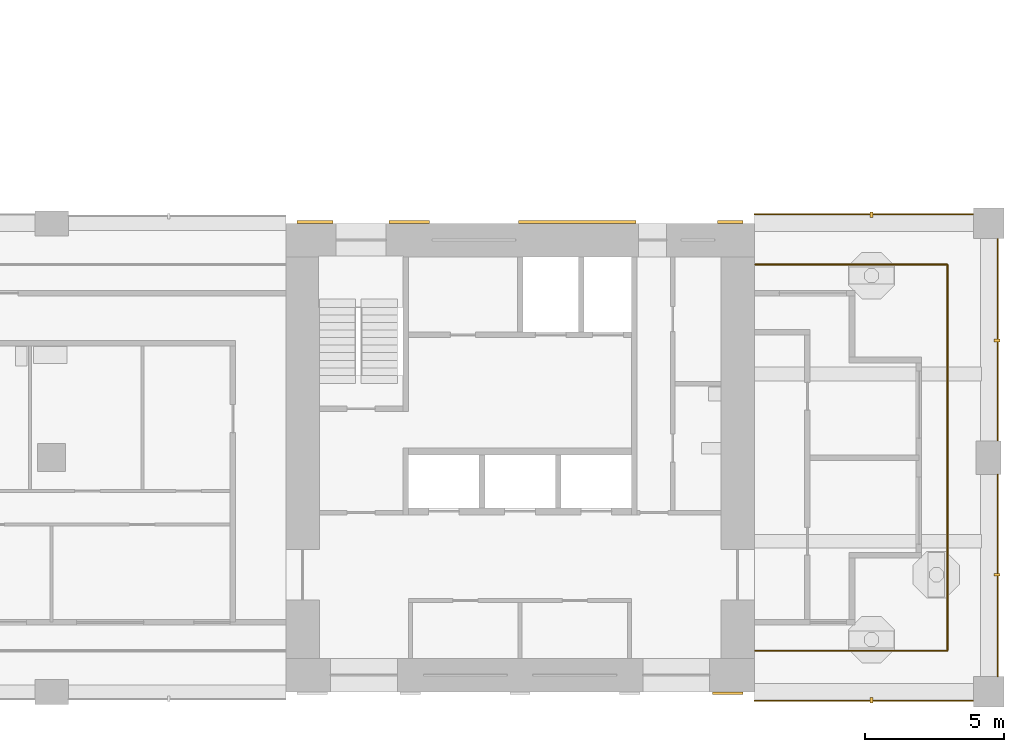
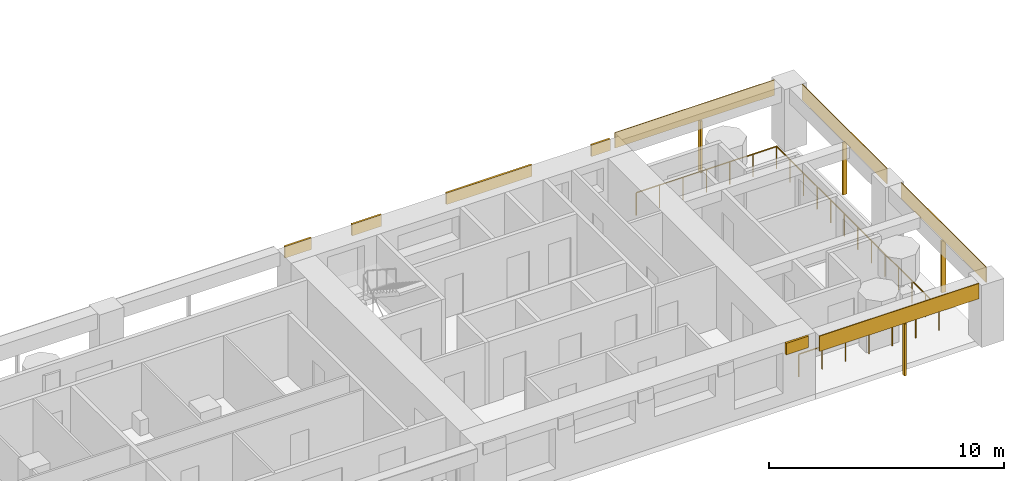
# One storey, part 9 of 13: 13 shading devices, 1 railing.
"""IFC4 building model written with IfcOpenShell, lengths in metres."""

import ifcopenshell
import ifcopenshell.guid

model = None  # the IFC model being written
_history = None  # IfcOwnerHistory: only IFC2X3 demands one
_inside = {}  # id of a spatial element -> (the spatial element, [elements in it])
_under = {}  # id of a project, library or spatial element -> (it, [spatial elements below it])
_declared = {}  # id of a project -> (the project, [libraries it declares])
_typed = {}  # id of a type object -> (the type object, [elements of that type])
_made_of = {}  # id of a material, layer set ... -> (it, [elements and type objects made of it])


def new_model(schema):
    """Start an empty IFC model of exactly this schema.

    Asked for "IFC4X3", IfcOpenShell would pick the latest addendum, in which some entities
    have other attributes; the version numbers below select the first issue.
    IFC2X3 requires an IfcOwnerHistory on every rooted entity: one is made here for all.
    """
    global model, _history
    if schema == "IFC4X3":
        model = ifcopenshell.file(schema_version=(4, 3, 0, 0))
    else:
        model = ifcopenshell.file(schema=schema)
    _inside.clear()
    _under.clear()
    _declared.clear()
    _typed.clear()
    _made_of.clear()
    _history = None
    if model.schema == "IFC2X3":
        org = make("IfcOrganization", Name="unknown")
        user = make(
            "IfcPersonAndOrganization",
            ThePerson=make("IfcPerson", FamilyName="unknown"),
            TheOrganization=org,
        )
        app = make(
            "IfcApplication",
            ApplicationDeveloper=org,
            Version="unknown",
            ApplicationFullName="unknown",
            ApplicationIdentifier="unknown",
        )
        _history = make(
            "IfcOwnerHistory",
            OwningUser=user,
            OwningApplication=app,
            ChangeAction="ADDED",
            CreationDate=0,
        )
    return model


def make(cls, **values):
    """One entity of the class cls with the attributes given. An attribute that is None is left unset."""
    return model.create_entity(
        cls, **{name: value for name, value in values.items() if value is not None}
    )


def rooted(cls, **values):
    """An entity with a GlobalId (a new one), such as an element, a storey or a relation."""
    return make(cls, GlobalId=ifcopenshell.guid.new(), OwnerHistory=_history, **values)


def si_unit(unit_type, name, prefix=None):
    """IfcSIUnit, for example si_unit("LENGTHUNIT", "METRE", prefix="MILLI")."""
    return make("IfcSIUnit", UnitType=unit_type, Prefix=prefix, Name=name)


def assignment(units):
    """IfcUnitAssignment: the units of a project."""
    return None if units is None else make("IfcUnitAssignment", Units=units)


def point(xyz):
    """IfcCartesianPoint."""
    return None if xyz is None else make("IfcCartesianPoint", Coordinates=xyz)


def direction(xyz):
    """IfcDirection."""
    return None if xyz is None else make("IfcDirection", DirectionRatios=xyz)


def frame(location, z_axis=None, x_axis=None):
    """IfcAxis2Placement3D, a coordinate frame: its origin and axes. An axis left out is left unset."""
    return make(
        "IfcAxis2Placement3D",
        Location=point(location),
        Axis=direction(z_axis),
        RefDirection=direction(x_axis),
    )


def frame_2d(location, x_axis=None):
    """IfcAxis2Placement2D, a coordinate frame in the plane: its origin and x axis."""
    return make(
        "IfcAxis2Placement2D", Location=point(location), RefDirection=direction(x_axis)
    )


def origin():
    """The frame at (0, 0, 0) with its axes left unset."""
    return frame((0.0, 0.0, 0.0))


def origin_2d():
    """The frame at (0, 0) in the plane with its x axis left unset."""
    return frame_2d((0.0, 0.0))


def place(relative_to, where):
    """IfcLocalPlacement: puts the frame where relative to a parent placement (None: the world)."""
    return make(
        "IfcLocalPlacement", PlacementRelTo=relative_to, RelativePlacement=where
    )


def context(
    kind, dimensions, precision=None, world=None, true_north=None, identifier=None
):
    """IfcGeometricRepresentationContext, for example the 3D "Model" context."""
    return make(
        "IfcGeometricRepresentationContext",
        ContextIdentifier=identifier,
        ContextType=kind,
        CoordinateSpaceDimension=dimensions,
        Precision=precision,
        WorldCoordinateSystem=world,
        TrueNorth=true_north,
    )


def subcontext(parent, identifier, kind, view, scale=None):
    """IfcGeometricRepresentationSubContext, for example "Body" below "Model"."""
    return make(
        "IfcGeometricRepresentationSubContext",
        ContextIdentifier=identifier,
        ContextType=kind,
        ParentContext=parent,
        TargetScale=scale,
        TargetView=view,
    )


def project(units=None, contexts=None):
    """IfcProject with its units and contexts."""
    return rooted(
        "IfcProject",
        Name="project",
        RepresentationContexts=contexts,
        UnitsInContext=assignment(units),
    )


def spatial(cls, under=None, at=None, **own):
    """A site, building, storey or space (cls), placed at a placement, below another one or the project."""
    s = rooted(cls, ObjectPlacement=at, **own)
    if under is not None:
        _under.setdefault(under.id(), (under, []))[1].append(s)
    return s


def profile(cls, at=None, kind="AREA", **sizes):
    """A parametric profile (cls). Its sizes go by their IFC names, for example OverallWidth=200.0."""
    return make(cls, ProfileType=kind, Position=at, **sizes)


def rectangle(**sizes):
    """IfcRectangleProfileDef."""
    return profile("IfcRectangleProfileDef", **sizes)


def circle(**sizes):
    """IfcCircleProfileDef."""
    return profile("IfcCircleProfileDef", **sizes)


def extrude(swept, where, along, depth):
    """IfcExtrudedAreaSolid: the profile swept, set in the frame where, extruded along a direction by depth."""
    return make(
        "IfcExtrudedAreaSolid",
        SweptArea=swept,
        Position=where,
        ExtrudedDirection=direction(along),
        Depth=depth,
    )


def shape(context_of_items, identifier, shape_type, items):
    """IfcShapeRepresentation: the items that make up one representation, for example the "Body"."""
    return make(
        "IfcShapeRepresentation",
        ContextOfItems=context_of_items,
        RepresentationIdentifier=identifier,
        RepresentationType=shape_type,
        Items=items,
    )


def material(Name=None, Category=None):
    """IfcMaterial."""
    return make("IfcMaterial", Name=Name, Category=Category)


def layer(
    of_material, thickness, ventilated=None, Name=None, Category=None, Priority=None
):
    """IfcMaterialLayer: one layer of a wall or slab, of a material (None: an air gap)."""
    return make(
        "IfcMaterialLayer",
        Material=of_material,
        LayerThickness=thickness,
        IsVentilated=ventilated,
        Name=Name,
        Category=Category,
        Priority=Priority,
    )


def layer_set(layers, Name=None):
    """IfcMaterialLayerSet."""
    return make("IfcMaterialLayerSet", MaterialLayers=layers, LayerSetName=Name)


def material_profile(
    of_material, cross_section, Name=None, Category=None, Priority=None
):
    """IfcMaterialProfile: a cross section and its material."""
    return make(
        "IfcMaterialProfile",
        Name=Name,
        Material=of_material,
        Profile=cross_section,
        Priority=Priority,
        Category=Category,
    )


def profile_set(profiles, Name=None, composite=None):
    """IfcMaterialProfileSet."""
    return make(
        "IfcMaterialProfileSet",
        Name=Name,
        MaterialProfiles=profiles,
        CompositeProfile=composite,
    )


def made_of(thing, what):
    """Note that an element or type object is made of a material, layer set ...; save() writes the relation."""
    if what is not None:
        _made_of.setdefault(what.id(), (what, []))[1].append(thing)
    return thing


def type_object(cls, material=None, **own):
    """A type object (cls), such as IfcWallType, which elements share."""
    return made_of(rooted(cls, **own), material)


def element(
    cls,
    number,
    at=None,
    inside=None,
    cuts=None,
    type_object=None,
    material=None,
    context=None,
    identifier="Body",
    shape_type=None,
    held_by="IfcProductDefinitionShape",
    body=None,
    shapes=None,
    **own,
):
    """One element of the class cls, such as IfcWall. Its Tag is "e" and its number.

    at: its placement. inside: the storey or other place that contains it. cuts: it is an
    opening in that element (IfcRelVoidsElement). A single representation is given by context,
    identifier, shape_type and body (its items); several are given by shapes. held_by: the class
    of the entity that holds the representations. save() writes the other relations.
    """
    e = rooted(cls, Tag="e%d" % number, ObjectPlacement=at, **own)
    if body is not None:
        shapes = [shape(context, identifier, shape_type, body)]
    if shapes is not None:
        e.Representation = make(held_by, Representations=shapes)
    if inside is not None:
        _inside.setdefault(inside.id(), (inside, []))[1].append(e)
    if cuts is not None:
        rooted(
            "IfcRelVoidsElement", RelatingBuildingElement=cuts, RelatedOpeningElement=e
        )
    if type_object is not None:
        _typed.setdefault(type_object.id(), (type_object, []))[1].append(e)
    return made_of(e, material)


def aggregate(whole, parts):
    """IfcRelAggregates: a whole, such as a stair, and the parts it consists of."""
    return rooted("IfcRelAggregates", RelatingObject=whole, RelatedObjects=parts)


def save(model, path):
    """Write the relations noted so far, then the file.

    IfcRelAggregates (storeys below a building ...), IfcRelContainedInSpatialStructure (elements
    in a storey), IfcRelDefinesByType, IfcRelAssociatesMaterial and IfcRelDeclares: one each for
    every whole, place, type object, material and project.
    """
    for whole, parts in _under.values():
        aggregate(whole, parts)
    for where, things in _inside.values():
        rooted(
            "IfcRelContainedInSpatialStructure",
            RelatedElements=things,
            RelatingStructure=where,
        )
    for kind, things in _typed.values():
        rooted("IfcRelDefinesByType", RelatedObjects=things, RelatingType=kind)
    for what, things in _made_of.values():
        rooted("IfcRelAssociatesMaterial", RelatedObjects=things, RelatingMaterial=what)
    for by, libraries in _declared.values():
        rooted("IfcRelDeclares", RelatingContext=by, RelatedDefinitions=libraries)
    model.write(path)


model = new_model("IFC4")

# Units and contexts
model_context = context("Model", 3, precision=1e-05, world=origin(), true_north=direction((0.0, 1.0)))
body_context = subcontext(model_context, "Body", "Model", "MODEL_VIEW")
ifc_project = project(units=[si_unit("LENGTHUNIT", "METRE"), si_unit("AREAUNIT", "SQUARE_METRE"), si_unit("VOLUMEUNIT", "CUBIC_METRE"), si_unit("PLANEANGLEUNIT", "RADIAN"), si_unit("MASSUNIT", "GRAM", prefix="KILO")], contexts=[model_context])

# Site, building, storey
site_placement = place(None, origin())
site = spatial("IfcSite", under=ifc_project, at=site_placement, CompositionType="ELEMENT")
building_placement = place(site_placement, origin())
building = spatial("IfcBuilding", under=site, at=building_placement, Name="Vermilion Gate Residences", CompositionType="ELEMENT")
storey_placement = place(building_placement, frame((0.0, 0.0, 182.699951171875)))
storey = spatial("IfcBuildingStorey", under=building, at=storey_placement, Name="L47", CompositionType="ELEMENT", Elevation=182.699951171875)

# Railing
ifc_material_1 = material(Name="Stainless steel and toughened glass", Category="steel")
railing_type = type_object("IfcRailingType", Name="LOGGIA GUARD STEEL AND GLASS 1200", PredefinedType="GUARDRAIL", material=ifc_material_1)
railing_placement = place(storey_placement, frame((58.822021484375, 9.875, 0.0)))
element("IfcRailing", 1, at=railing_placement, inside=storey, type_object=railing_type, Name="Loggia guard", PredefinedType="GUARDRAIL", context=body_context, shape_type="SweptSolid", body=[
    extrude(circle(Radius=0.030029296875, at=origin_2d()), frame((0.0, 0.0, 1.169921875), z_axis=(1.0, 0.0, 0.0), x_axis=(0.0, 1.0, 0.0)), (0.0, 0.0, 1.0), 6.903076171875),
    extrude(circle(Radius=0.030029296875, at=origin_2d()), frame((6.903076171875, 0.0, 1.169921875), z_axis=(0.0, 1.0, 0.0), x_axis=(-1.0, 0.0, 0.0)), (0.0, 0.0, 1.0), 13.85009765625),
    extrude(circle(Radius=0.030029296875, at=origin_2d()), frame((6.903076171875, 13.85009765625, 1.169921875), z_axis=(-1.0, 0.0, 0.0), x_axis=(0.0, -1.0, 0.0)), (0.0, 0.0, 1.0), 6.903076171875),
    extrude(circle(Radius=0.02490234375, at=origin_2d()), origin(), (0.0, 0.0, 1.0), 1.139892578125),
    extrude(circle(Radius=0.02490234375, at=origin_2d()), frame((1.150390625, 0.0, 0.0)), (0.0, 0.0, 1.0), 1.139892578125),
    extrude(circle(Radius=0.02490234375, at=origin_2d()), frame((2.301025390625, 0.0, 0.0)), (0.0, 0.0, 1.0), 1.139892578125),
    extrude(circle(Radius=0.02490234375, at=origin_2d()), frame((3.45166015625, 0.0, 0.0)), (0.0, 0.0, 1.0), 1.139892578125),
    extrude(circle(Radius=0.02490234375, at=origin_2d()), frame((4.60205078125, 0.0, 0.0)), (0.0, 0.0, 1.0), 1.139892578125),
    extrude(circle(Radius=0.02490234375, at=origin_2d()), frame((5.75244140625, 0.0, 0.0)), (0.0, 0.0, 1.0), 1.139892578125),
    extrude(circle(Radius=0.02490234375, at=origin_2d()), frame((6.903076171875, 0.0, 0.0)), (0.0, 0.0, 1.0), 1.139892578125),
    extrude(circle(Radius=0.02490234375, at=origin_2d()), frame((6.903076171875, 1.154296875, 0.0)), (0.0, 0.0, 1.0), 1.139892578125),
    extrude(circle(Radius=0.02490234375, at=origin_2d()), frame((6.903076171875, 2.308349609375, 0.0)), (0.0, 0.0, 1.0), 1.139892578125),
    extrude(circle(Radius=0.02490234375, at=origin_2d()), frame((6.903076171875, 3.46240234375, 0.0)), (0.0, 0.0, 1.0), 1.139892578125),
    extrude(circle(Radius=0.02490234375, at=origin_2d()), frame((6.903076171875, 4.61669921875, 0.0)), (0.0, 0.0, 1.0), 1.139892578125),
    extrude(circle(Radius=0.02490234375, at=origin_2d()), frame((6.903076171875, 5.77099609375, 0.0)), (0.0, 0.0, 1.0), 1.139892578125),
    extrude(circle(Radius=0.02490234375, at=origin_2d()), frame((6.903076171875, 6.925048828125, 0.0)), (0.0, 0.0, 1.0), 1.139892578125),
    extrude(circle(Radius=0.02490234375, at=origin_2d()), frame((6.903076171875, 8.0791015625, 0.0)), (0.0, 0.0, 1.0), 1.139892578125),
    extrude(circle(Radius=0.02490234375, at=origin_2d()), frame((6.903076171875, 9.2333984375, 0.0)), (0.0, 0.0, 1.0), 1.139892578125),
    extrude(circle(Radius=0.02490234375, at=origin_2d()), frame((6.903076171875, 10.3876953125, 0.0)), (0.0, 0.0, 1.0), 1.139892578125),
    extrude(circle(Radius=0.02490234375, at=origin_2d()), frame((6.903076171875, 11.541748046875, 0.0)), (0.0, 0.0, 1.0), 1.139892578125),
    extrude(circle(Radius=0.02490234375, at=origin_2d()), frame((6.903076171875, 12.69580078125, 0.0)), (0.0, 0.0, 1.0), 1.139892578125),
    extrude(circle(Radius=0.02490234375, at=origin_2d()), frame((6.903076171875, 13.85009765625, 0.0)), (0.0, 0.0, 1.0), 1.139892578125),
    extrude(circle(Radius=0.02490234375, at=origin_2d()), frame((5.75244140625, 13.85009765625, 0.0)), (0.0, 0.0, 1.0), 1.139892578125),
    extrude(circle(Radius=0.02490234375, at=origin_2d()), frame((4.60205078125, 13.85009765625, 0.0)), (0.0, 0.0, 1.0), 1.139892578125),
    extrude(circle(Radius=0.02490234375, at=origin_2d()), frame((3.45166015625, 13.85009765625, 0.0)), (0.0, 0.0, 1.0), 1.139892578125),
    extrude(circle(Radius=0.02490234375, at=origin_2d()), frame((2.301025390625, 13.85009765625, 0.0)), (0.0, 0.0, 1.0), 1.139892578125),
    extrude(circle(Radius=0.02490234375, at=origin_2d()), frame((1.150390625, 13.85009765625, 0.0)), (0.0, 0.0, 1.0), 1.139892578125),
    extrude(circle(Radius=0.02490234375, at=origin_2d()), frame((0.0, 13.85009765625, 0.0)), (0.0, 0.0, 1.0), 1.139892578125),
])

# Shading devices
ifc_material_2 = material(Name="Perforated terracotta", Category="masonry")
ifc_layer_1 = layer(ifc_material_2, 0.0400390625)
ifc_layer_set_1 = layer_set([ifc_layer_1], Name="PERFORATED TERRACOTTA SCREEN 40")
shading_device_type_1 = type_object("IfcShadingDeviceType", Name="PERFORATED TERRACOTTA SCREEN 40", PredefinedType="SHUTTER", material=ifc_layer_set_1)
shading_device_1_placement = place(storey_placement, frame((62.72509765625, 8.080078125, 2.419921875), z_axis=(0.0, 0.0, 1.0), x_axis=(1.0, 0.0, 0.0)))
element("IfcShadingDevice", 2, at=shading_device_1_placement, inside=storey, type_object=shading_device_type_1, Name="SCREEN", PredefinedType="SHUTTER", context=body_context, shape_type="SweptSolid", body=[
    extrude(rectangle(XDim=7.85009765625, YDim=0.0400390625, at=origin_2d()), origin(), (0.0, 0.0, 1.0), 0.800048828125),
])
for number, where, z_axis, x_axis, name in (
    (3, (67.52001953125, 12.574951171875, 2.419921875), (0.0, 0.0, 1.0), (0.0, 1.0, 0.0), "SCREEN"),
    (4, (67.52001953125, 21.02490234375, 2.419921875), (0.0, 0.0, 1.0), (0.0, 1.0, 0.0), "SCREEN"),
):
    element("IfcShadingDevice", number, at=place(storey_placement, frame(where, z_axis=z_axis, x_axis=x_axis)), inside=storey, type_object=shading_device_type_1, Name=name, PredefinedType="SHUTTER", context=body_context, shape_type="SweptSolid", body=[
        extrude(rectangle(XDim=7.25, YDim=0.0400390625, at=origin_2d()), origin(), (0.0, 0.0, 1.0), 0.800048828125),
    ])
shading_device_2_placement = place(storey_placement, frame((62.72509765625, 25.52001953125, 2.419921875), z_axis=(0.0, 0.0, 1.0), x_axis=(-1.0, 0.0, 0.0)))
element("IfcShadingDevice", 5, at=shading_device_2_placement, inside=storey, type_object=shading_device_type_1, Name="SCREEN", PredefinedType="SHUTTER", context=body_context, shape_type="SweptSolid", body=[
    extrude(rectangle(XDim=7.85009765625, YDim=0.0400390625, at=origin_2d()), origin(), (0.0, 0.0, 1.0), 0.800048828125),
])
ifc_material_3 = material(Name="Extruded terracotta", Category="masonry")
ifc_material_profile = material_profile(ifc_material_3, rectangle(XDim=0.199951171875, YDim=0.10009765625, at=origin_2d()), Name="BAGUETTE 100 X 200")
ifc_profile_set = profile_set([ifc_material_profile], Name="Extruded terracotta")
shading_device_type_2 = type_object("IfcShadingDeviceType", Name="TERRACOTTA BAGUETTE 100 X 200", PredefinedType="JALOUSIE", material=ifc_profile_set)
for number, where, z_axis, x_axis, name in (
    (6, (63.0, 8.10009765625, -0.280029296875), (0.0, 0.0, 1.0), (0.0, 1.0, 0.0), "BAGUETTE"),
    (7, (67.5, 12.60009765625, -0.280029296875), (0.0, 0.0, 1.0), (-1.0, 0.0, 0.0), "BAGUETTE"),
    (8, (67.5, 21.0, -0.280029296875), (0.0, 0.0, 1.0), (-1.0, 0.0, 0.0), "BAGUETTE"),
    (9, (63.0, 25.5, -0.280029296875), (0.0, 0.0, 1.0), (0.0, -1.0, 0.0), "BAGUETTE"),
):
    element("IfcShadingDevice", number, at=place(storey_placement, frame(where, z_axis=z_axis, x_axis=x_axis)), inside=storey, type_object=shading_device_type_2, Name=name, PredefinedType="JALOUSIE", context=body_context, shape_type="SweptSolid", body=[
        extrude(rectangle(XDim=0.199951171875, YDim=0.10009765625, at=origin_2d()), origin(), (0.0, 0.0, 1.0), 2.7001953125),
    ])
ifc_material_4 = material(Name="Extruded terracotta", Category="masonry")
ifc_layer_2 = layer(ifc_material_4, 0.10009765625)
ifc_layer_set_2 = layer_set([ifc_layer_2], Name="TERRACOTTA SPANDREL BAND 600 X 100")
shading_device_type_3 = type_object("IfcShadingDeviceType", Name="TERRACOTTA SPANDREL BAND 600 X 100", PredefinedType="USERDEFINED", material=ifc_layer_set_2)
shading_device_3_placement = place(storey_placement, frame((57.85009765625, 8.35009765625, 2.6201171875), z_axis=(0.0, 0.0, 1.0), x_axis=(1.0, 0.0, 0.0)))
element("IfcShadingDevice", 10, at=shading_device_3_placement, inside=storey, type_object=shading_device_type_3, Name="SPANDREL BAND", ObjectType="BAND", PredefinedType="USERDEFINED", context=body_context, shape_type="SweptSolid", body=[
    extrude(rectangle(XDim=1.10009765625, YDim=0.10009765625, at=origin_2d()), origin(), (0.0, 0.0, 1.0), 0.60009765625),
])
shading_device_4_placement = place(storey_placement, frame((43.050048828125, 25.25, 2.6201171875), z_axis=(0.0, 0.0, 1.0), x_axis=(1.0, 0.0, 0.0)))
element("IfcShadingDevice", 11, at=shading_device_4_placement, inside=storey, type_object=shading_device_type_3, Name="SPANDREL BAND", ObjectType="BAND", PredefinedType="USERDEFINED", context=body_context, shape_type="SweptSolid", body=[
    extrude(rectangle(XDim=1.300048828125, YDim=0.10009765625, at=origin_2d()), origin(), (0.0, 0.0, 1.0), 0.60009765625),
])
shading_device_5_placement = place(storey_placement, frame((46.425048828125, 25.25, 2.6201171875), z_axis=(0.0, 0.0, 1.0), x_axis=(1.0, 0.0, 0.0)))
element("IfcShadingDevice", 12, at=shading_device_5_placement, inside=storey, type_object=shading_device_type_3, Name="SPANDREL BAND", ObjectType="BAND", PredefinedType="USERDEFINED", context=body_context, shape_type="SweptSolid", body=[
    extrude(rectangle(XDim=1.449951171875, YDim=0.10009765625, at=origin_2d()), origin(), (0.0, 0.0, 1.0), 0.60009765625),
])
shading_device_6_placement = place(storey_placement, frame((52.449951171875, 25.25, 2.6201171875), z_axis=(0.0, 0.0, 1.0), x_axis=(1.0, 0.0, 0.0)))
element("IfcShadingDevice", 13, at=shading_device_6_placement, inside=storey, type_object=shading_device_type_3, Name="SPANDREL BAND", ObjectType="BAND", PredefinedType="USERDEFINED", context=body_context, shape_type="SweptSolid", body=[
    extrude(rectangle(XDim=4.199951171875, YDim=0.10009765625, at=origin_2d()), origin(), (0.0, 0.0, 1.0), 0.60009765625),
])
shading_device_7_placement = place(storey_placement, frame((57.9375, 25.25, 2.6201171875), z_axis=(0.0, 0.0, 1.0), x_axis=(1.0, 0.0, 0.0)))
element("IfcShadingDevice", 14, at=shading_device_7_placement, inside=storey, type_object=shading_device_type_3, Name="SPANDREL BAND", ObjectType="BAND", PredefinedType="USERDEFINED", context=body_context, shape_type="SweptSolid", body=[
    extrude(rectangle(XDim=0.925048828125, YDim=0.10009765625, at=origin_2d()), origin(), (0.0, 0.0, 1.0), 0.60009765625),
])

save(model, "model.ifc")
